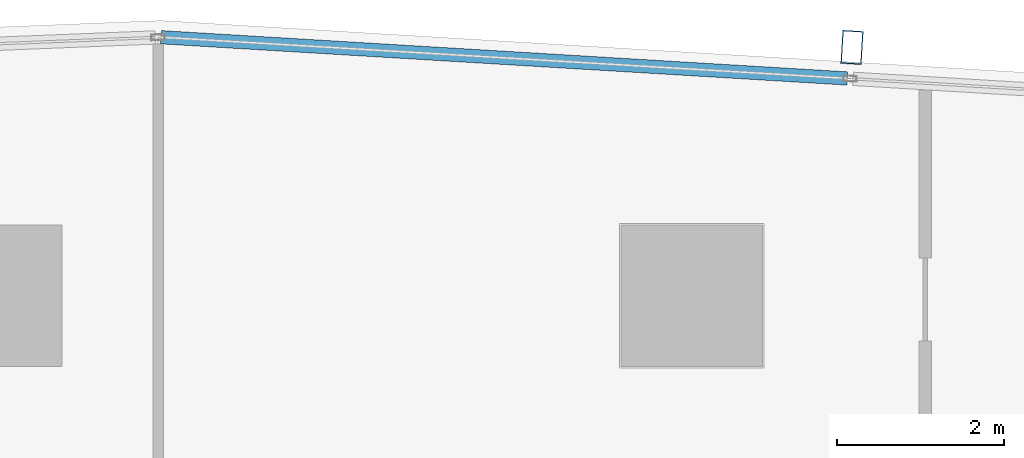
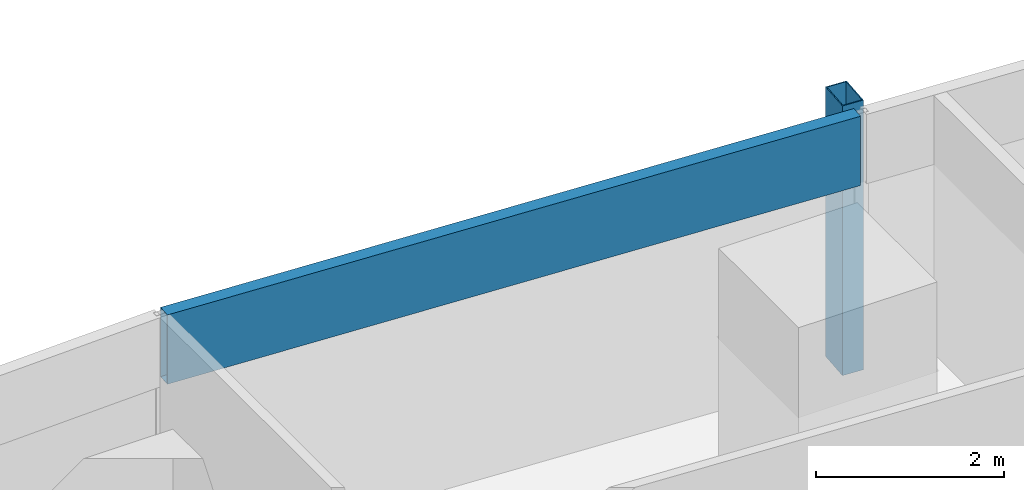
# One storey, part 22 of 40: 2 members, 1 element without a shape of its own.
"""IFC4 building model written with IfcOpenShell, lengths in metres."""

from ifc_helpers import new_model, si_unit, direction, frame, origin, origin_2d, place, context, subcontext, project, spatial, hollow_rectangle, extrude, material, material_profile, profile_set, type_object, element, aggregate, save


model = new_model("IFC4")

# Units and contexts
model_context = context("Model", 3, precision=1e-05, world=origin(), true_north=direction((0.0, 1.0)))
body_context = subcontext(model_context, "Body", "Model", "MODEL_VIEW")
ifc_project = project(units=[si_unit("LENGTHUNIT", "METRE"), si_unit("AREAUNIT", "SQUARE_METRE"), si_unit("VOLUMEUNIT", "CUBIC_METRE"), si_unit("PLANEANGLEUNIT", "RADIAN"), si_unit("MASSUNIT", "GRAM", prefix="KILO")], contexts=[model_context])

# Site, building, storey
site_placement = place(None, origin())
site = spatial("IfcSite", under=ifc_project, at=site_placement, CompositionType="ELEMENT")
building_placement = place(site_placement, origin())
building = spatial("IfcBuilding", under=site, at=building_placement, Name="Rekha Terrace Tower", CompositionType="ELEMENT")
storey_placement = place(building_placement, frame((0.0, 0.0, 132.800048828125)))
storey = spatial("IfcBuildingStorey", under=building, at=storey_placement, Name="L33", CompositionType="ELEMENT", Elevation=132.800048828125)

# Curtain wall, members
ifc_material_1 = material(Name="Aluminium framing", Category="aluminium")
curtain_wall_type = type_object("IfcCurtainWallType", Name="CW3 north unitised glazing", PredefinedType="USERDEFINED", material=ifc_material_1)
curtain_wall_placement = place(storey_placement, origin())
curtain_wall = element("IfcCurtainWall", 1, at=curtain_wall_placement, inside=storey, type_object=curtain_wall_type, Name="CW3 unitised curtain wall", ObjectType="UNITISED CURTAIN WALL", PredefinedType="USERDEFINED")
ifc_material_2 = material(Name="Steel S355 with fluorocarbon finish", Category="steel")
ifc_material_profile_1 = material_profile(ifc_material_2, hollow_rectangle(XDim=0.25, YDim=0.39990234375, WallThickness=0.012451171875, at=origin_2d()), Name="RHS400x250x12.5")
ifc_profile_set_1 = profile_set([ifc_material_profile_1], Name="Steel S355 with fluorocarbon finish")
member_type_1 = type_object("IfcMemberType", Name="BL1 facade blade RHS 400 x 250", PredefinedType="USERDEFINED", material=ifc_profile_set_1)
member_1_placement = place(storey_placement, frame((52.322265625, 61.777587890625, 0.0), z_axis=(0.0, 0.0, 1.0), x_axis=(-0.998199123409, 0.059987582268, 0.0)))
member_1 = element("IfcMember", 2, at=member_1_placement, type_object=member_type_1, Name="Facade blade", ObjectType="FACADE BLADE", PredefinedType="USERDEFINED", context=body_context, shape_type="SweptSolid", body=[
    extrude(hollow_rectangle(XDim=0.25, YDim=0.39990234375, WallThickness=0.012451171875, at=origin_2d()), origin(), (0.0, 0.0, 1.0), 3.5),
])
ifc_material_3 = material(Name="Insulated aluminium spandrel box", Category="aluminium")
ifc_material_profile_2 = material_profile(ifc_material_3, hollow_rectangle(XDim=0.159912109375, YDim=0.89990234375, WallThickness=0.0029296875, at=origin_2d()), Name="AL SPANDREL BOX 160x900")
ifc_profile_set_2 = profile_set([ifc_material_profile_2], Name="Insulated aluminium spandrel box")
member_type_2 = type_object("IfcMemberType", Name="CW3 spandrel transom 160 x 900", PredefinedType="USERDEFINED", material=ifc_profile_set_2)
member_2_placement = place(storey_placement, frame((52.2646484375, 61.4052734375, 3.050048828125), z_axis=(-0.998199102701, 0.059987926845, 0.0), x_axis=(-0.059987926845, -0.998199102701, 0.0)))
member_2 = element("IfcMember", 3, at=member_2_placement, type_object=member_type_2, Name="CW3 spandrel transom 3", ObjectType="TRANSOM", PredefinedType="USERDEFINED", context=body_context, shape_type="SweptSolid", body=[
    extrude(hollow_rectangle(XDim=0.159912109375, YDim=0.89990234375, WallThickness=0.0029296875, at=origin_2d()), origin(), (0.0, 0.0, 1.0), 8.241455078125),
])
aggregate(curtain_wall, [member_2, member_1])

save(model, "model.ifc")
